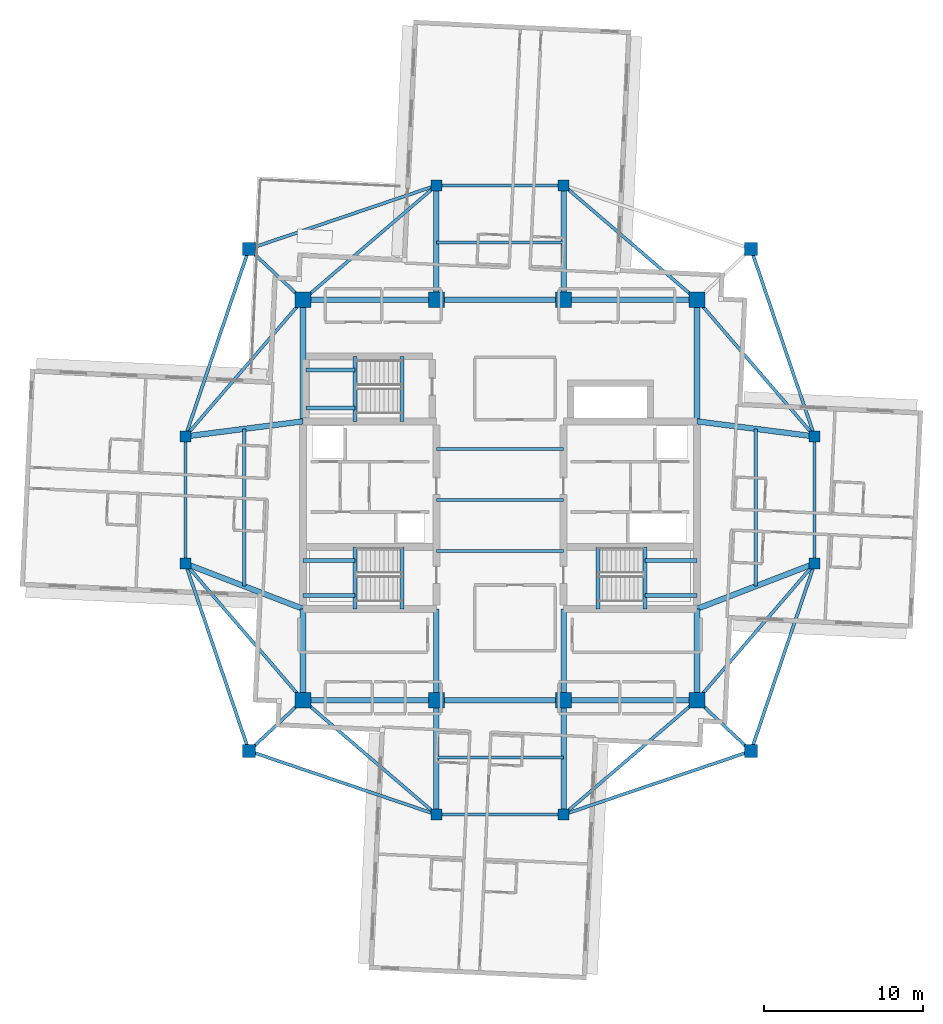
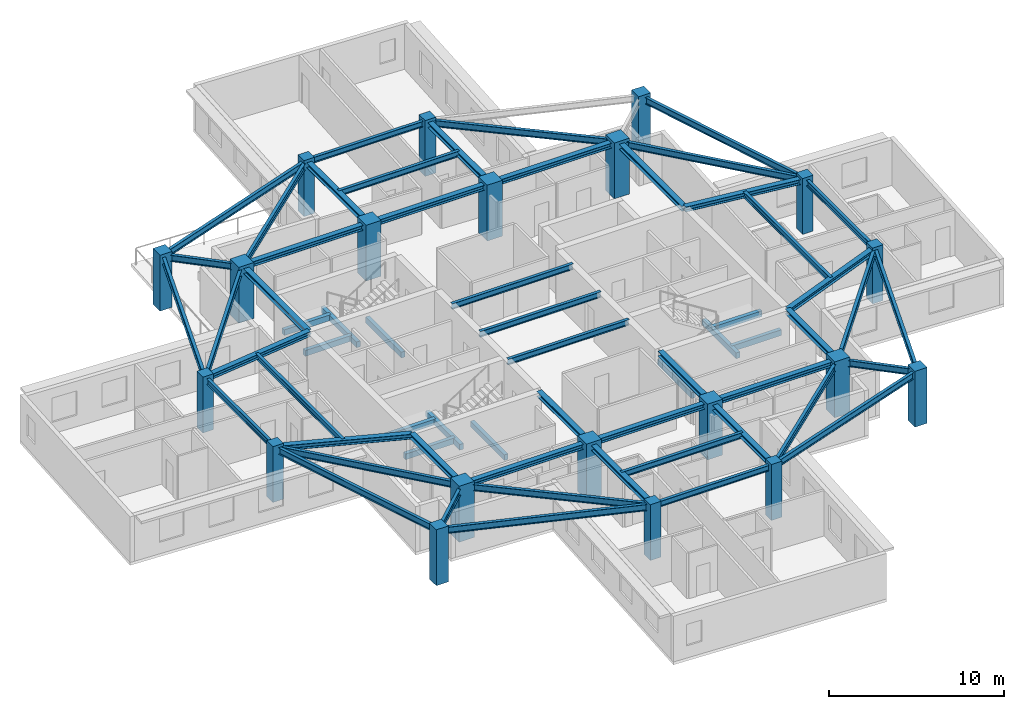
# One storey, part 1 of 12: 61 beams, 20 columns.
"""IFC4 building model written with IfcOpenShell, lengths in metres."""

from ifc_helpers import new_model, si_unit, direction, frame, origin, origin_2d, place, context, subcontext, project, spatial, rectangle, i_section, extrude, material, material_profile, profile_set, type_object, element, save


model = new_model("IFC4")

# Units and contexts
model_context = context("Model", 3, precision=1e-05, world=origin(), true_north=direction((0.0, 1.0)))
body_context = subcontext(model_context, "Body", "Model", "MODEL_VIEW")
ifc_project = project(units=[si_unit("LENGTHUNIT", "METRE"), si_unit("AREAUNIT", "SQUARE_METRE"), si_unit("VOLUMEUNIT", "CUBIC_METRE"), si_unit("PLANEANGLEUNIT", "RADIAN"), si_unit("MASSUNIT", "GRAM", prefix="KILO")], contexts=[model_context])

# Site, building, storey
site_placement = place(None, origin())
site = spatial("IfcSite", under=ifc_project, at=site_placement, CompositionType="ELEMENT")
building_placement = place(site_placement, origin())
building = spatial("IfcBuilding", under=site, at=building_placement, Name="Qingluan Cross Belvedere", CompositionType="ELEMENT")
storey_placement = place(building_placement, frame((0.0, 0.0, 253.800048828125)))
storey = spatial("IfcBuildingStorey", under=building, at=storey_placement, Name="L63", CompositionType="ELEMENT", Elevation=253.800048828125)

# Columns
ifc_material_1 = material(Name="Concrete C50", Category="concrete")
ifc_material_profile_1 = material_profile(ifc_material_1, rectangle(XDim=1.0, YDim=1.0, at=origin_2d()), Name="RC1000x1000")
ifc_profile_set_1 = profile_set([ifc_material_profile_1], Name="Concrete C50")
column_type_1 = type_object("IfcColumnType", Name="Column_RC1000x1000", PredefinedType="COLUMN", material=ifc_profile_set_1)
for number, where, z_axis, x_axis, name in (
    (1, (-12.39990234375, -12.60009765625, 0.0), (0.0, 0.0, 1.0), (1.0, 0.0, 0.0), "Hub column L63-HC1"),
    (2, (12.39990234375, -12.60009765625, 0.0), (0.0, 0.0, 1.0), (1.0, 0.0, 0.0), "Hub column L63-HC2"),
    (3, (12.39990234375, 12.60009765625, 0.0), (0.0, 0.0, 1.0), (1.0, 0.0, 0.0), "Hub column L63-HC3"),
    (4, (-12.39990234375, 12.60009765625, 0.0), (0.0, 0.0, 1.0), (1.0, 0.0, 0.0), "Hub column L63-HC4"),
    (5, (-4.0, -12.60009765625, 0.0), (0.0, 0.0, 1.0), (1.0, 0.0, 0.0), "Hub column L63-HC5"),
    (6, (4.0, -12.60009765625, 0.0), (0.0, 0.0, 1.0), (1.0, 0.0, 0.0), "Hub column L63-HC6"),
    (7, (4.0, 12.60009765625, 0.0), (0.0, 0.0, 1.0), (1.0, 0.0, 0.0), "Hub column L63-HC7"),
    (8, (-4.0, 12.60009765625, 0.0), (0.0, 0.0, 1.0), (1.0, 0.0, 0.0), "Hub column L63-HC8"),
):
    element("IfcColumn", number, at=place(storey_placement, frame(where, z_axis=z_axis, x_axis=x_axis)), inside=storey, type_object=column_type_1, Name=name, PredefinedType="COLUMN", context=body_context, shape_type="SweptSolid", body=[
        extrude(rectangle(XDim=1.0, YDim=1.0, at=origin_2d()), origin(), (0.0, 0.0, 1.0), 3.89990234375),
    ])
ifc_material_2 = material(Name="Concrete C50", Category="concrete")
ifc_material_profile_2 = material_profile(ifc_material_2, rectangle(XDim=0.699951171875, YDim=0.699951171875, at=origin_2d()), Name="RC700x700")
ifc_profile_set_2 = profile_set([ifc_material_profile_2], Name="Concrete C50")
column_type_2 = type_object("IfcColumnType", Name="Column_RC700x700", PredefinedType="COLUMN", material=ifc_profile_set_2)
for number, where, z_axis, x_axis, name in (
    (9, (19.800048828125, -4.0, 0.0), (0.0, 0.0, 1.0), (1.0, 0.0, 0.0), "Arm column L63-EIA"),
    (10, (19.800048828125, 4.0, 0.0), (0.0, 0.0, 1.0), (1.0, 0.0, 0.0), "Arm column L63-EIB"),
    (11, (-19.800048828125, -4.0, 0.0), (0.0, 0.0, 1.0), (1.0, 0.0, 0.0), "Arm column L63-WIA"),
    (12, (-19.800048828125, 4.0, 0.0), (0.0, 0.0, 1.0), (1.0, 0.0, 0.0), "Arm column L63-WIB"),
    (13, (-4.0, -19.800048828125, 0.0), (0.0, 0.0, 1.0), (1.0, 0.0, 0.0), "Arm column L63-SIA"),
    (14, (4.0, -19.800048828125, 0.0), (0.0, 0.0, 1.0), (1.0, 0.0, 0.0), "Arm column L63-SIB"),
    (15, (-4.0, 19.800048828125, 0.0), (0.0, 0.0, 1.0), (1.0, 0.0, 0.0), "Arm column L63-NIA"),
    (16, (4.0, 19.800048828125, 0.0), (0.0, 0.0, 1.0), (1.0, 0.0, 0.0), "Arm column L63-NIB"),
):
    element("IfcColumn", number, at=place(storey_placement, frame(where, z_axis=z_axis, x_axis=x_axis)), inside=storey, type_object=column_type_2, Name=name, PredefinedType="COLUMN", context=body_context, shape_type="SweptSolid", body=[
        extrude(rectangle(XDim=0.699951171875, YDim=0.699951171875, at=origin_2d()), origin(), (0.0, 0.0, 1.0), 3.89990234375),
    ])
ifc_material_3 = material(Name="Concrete C50", Category="concrete")
ifc_material_profile_3 = material_profile(ifc_material_3, rectangle(XDim=0.800048828125, YDim=0.800048828125, at=origin_2d()), Name="RC800x800")
ifc_profile_set_3 = profile_set([ifc_material_profile_3], Name="Concrete C50")
column_type_3 = type_object("IfcColumnType", Name="Column_RC800x800", PredefinedType="COLUMN", material=ifc_profile_set_3)
for number, where, z_axis, x_axis, name in (
    (17, (15.800048828125, 15.800048828125, 0.0), (0.0, 0.0, 1.0), (1.0, 0.0, 0.0), "Corner column L63-RNE"),
    (18, (-15.800048828125, 15.800048828125, 0.0), (0.0, 0.0, 1.0), (1.0, 0.0, 0.0), "Corner column L63-RNW"),
    (19, (-15.800048828125, -15.800048828125, 0.0), (0.0, 0.0, 1.0), (1.0, 0.0, 0.0), "Corner column L63-RSW"),
    (20, (15.800048828125, -15.800048828125, 0.0), (0.0, 0.0, 1.0), (1.0, 0.0, 0.0), "Corner column L63-RSE"),
):
    element("IfcColumn", number, at=place(storey_placement, frame(where, z_axis=z_axis, x_axis=x_axis)), inside=storey, type_object=column_type_3, Name=name, PredefinedType="COLUMN", context=body_context, shape_type="SweptSolid", body=[
        extrude(rectangle(XDim=0.800048828125, YDim=0.800048828125, at=origin_2d()), origin(), (0.0, 0.0, 1.0), 3.89990234375),
    ])

# Beams
ifc_material_4 = material(Name="Concrete C45", Category="concrete")
ifc_material_profile_4 = material_profile(ifc_material_4, rectangle(XDim=0.25, YDim=0.39990234375, at=origin_2d()), Name="RC250x400")
ifc_profile_set_4 = profile_set([ifc_material_profile_4], Name="Concrete C45")
beam_type_1 = type_object("IfcBeamType", Name="RC_Lintel_RC250x400", PredefinedType="LINTEL", material=ifc_profile_set_4)
for number, where, z_axis, x_axis, name in (
    (21, (-6.179931640625, -6.85009765625, -0.199951171875), (0.0, 1.0, 0.0), (-1.0, 0.0, 0.0), "Stair ST1 landing beam L63"),
    (22, (6.179931640625, -6.85009765625, -0.199951171875), (0.0, 1.0, 0.0), (-1.0, 0.0, 0.0), "Stair ST2 landing beam L63"),
):
    element("IfcBeam", number, at=place(storey_placement, frame(where, z_axis=z_axis, x_axis=x_axis)), inside=storey, type_object=beam_type_1, Name=name, PredefinedType="LINTEL", context=body_context, shape_type="SweptSolid", body=[
        extrude(rectangle(XDim=0.25, YDim=0.39990234375, at=origin_2d()), origin(), (0.0, 0.0, 1.0), 3.89013671875),
    ])
beam_1_placement = place(storey_placement, frame((-6.179931640625, 4.949951171875, -0.199951171875), z_axis=(0.0, 1.0, 0.0), x_axis=(-1.0, 0.0, 0.0)))
element("IfcBeam", 23, at=beam_1_placement, inside=storey, type_object=beam_type_1, Name="Stair ST3 landing beam L63", PredefinedType="LINTEL", context=body_context, shape_type="SweptSolid", body=[
    extrude(rectangle(XDim=0.25, YDim=0.39990234375, at=origin_2d()), origin(), (0.0, 0.0, 1.0), 4.090087890625),
])
beam_2_placement = place(storey_placement, frame((-9.1298828125, -6.85009765625, 1.550048828125), z_axis=(0.0, 1.0, 0.0), x_axis=(-1.0, 0.0, 0.0)))
element("IfcBeam", 24, at=beam_2_placement, inside=storey, type_object=beam_type_1, Name="Stair ST1 beam A L63", PredefinedType="LINTEL", context=body_context, shape_type="SweptSolid", body=[
    extrude(rectangle(XDim=0.25, YDim=0.39990234375, at=origin_2d()), origin(), (0.0, 0.0, 1.0), 3.89013671875),
])
for number, where, z_axis, x_axis, name in (
    (25, (-12.39990234375, -6.0, 1.550048828125), (1.0, 0.0, 0.0), (0.0, 1.0, 0.0), "Stair ST1 beam B L63"),
    (26, (-12.39990234375, -3.81005859375, 1.550048828125), (1.0, 0.0, 0.0), (0.0, 1.0, 0.0), "Stair ST1 beam C L63"),
):
    element("IfcBeam", number, at=place(storey_placement, frame(where, z_axis=z_axis, x_axis=x_axis)), inside=storey, type_object=beam_type_1, Name=name, PredefinedType="LINTEL", context=body_context, shape_type="SweptSolid", body=[
        extrude(rectangle(XDim=0.25, YDim=0.39990234375, at=origin_2d()), origin(), (0.0, 0.0, 1.0), 3.27001953125),
    ])
beam_3_placement = place(storey_placement, frame((9.1298828125, -6.85009765625, 1.550048828125), z_axis=(0.0, 1.0, 0.0), x_axis=(-1.0, 0.0, 0.0)))
element("IfcBeam", 27, at=beam_3_placement, inside=storey, type_object=beam_type_1, Name="Stair ST2 beam A L63", PredefinedType="LINTEL", context=body_context, shape_type="SweptSolid", body=[
    extrude(rectangle(XDim=0.25, YDim=0.39990234375, at=origin_2d()), origin(), (0.0, 0.0, 1.0), 3.89013671875),
])
for number, where, z_axis, x_axis, name in (
    (28, (12.39990234375, -6.0, 1.550048828125), (-1.0, 0.0, 0.0), (0.0, -1.0, 0.0), "Stair ST2 beam B L63"),
    (29, (12.39990234375, -3.81005859375, 1.550048828125), (-1.0, 0.0, 0.0), (0.0, -1.0, 0.0), "Stair ST2 beam C L63"),
):
    element("IfcBeam", number, at=place(storey_placement, frame(where, z_axis=z_axis, x_axis=x_axis)), inside=storey, type_object=beam_type_1, Name=name, PredefinedType="LINTEL", context=body_context, shape_type="SweptSolid", body=[
        extrude(rectangle(XDim=0.25, YDim=0.39990234375, at=origin_2d()), origin(), (0.0, 0.0, 1.0), 3.27001953125),
    ])
beam_4_placement = place(storey_placement, frame((-9.1298828125, 4.949951171875, 1.550048828125), z_axis=(0.0, 1.0, 0.0), x_axis=(-1.0, 0.0, 0.0)))
element("IfcBeam", 30, at=beam_4_placement, inside=storey, type_object=beam_type_1, Name="Stair ST3 beam A L63", PredefinedType="LINTEL", context=body_context, shape_type="SweptSolid", body=[
    extrude(rectangle(XDim=0.25, YDim=0.39990234375, at=origin_2d()), origin(), (0.0, 0.0, 1.0), 4.090087890625),
])
for number, where, z_axis, x_axis, name in (
    (31, (-12.219970703125, 5.800048828125, 1.550048828125), (1.0, 0.0, 0.0), (0.0, 1.0, 0.0), "Stair ST3 beam B L63"),
    (32, (-12.219970703125, 8.18994140625, 1.550048828125), (1.0, 0.0, 0.0), (0.0, 1.0, 0.0), "Stair ST3 beam C L63"),
):
    element("IfcBeam", number, at=place(storey_placement, frame(where, z_axis=z_axis, x_axis=x_axis)), inside=storey, type_object=beam_type_1, Name=name, PredefinedType="LINTEL", context=body_context, shape_type="SweptSolid", body=[
        extrude(rectangle(XDim=0.25, YDim=0.39990234375, at=origin_2d()), origin(), (0.0, 0.0, 1.0), 3.090087890625),
    ])
ifc_material_5 = material(Name="Steel Q420GJB", Category="steel")
ifc_material_profile_5 = material_profile(ifc_material_5, i_section(OverallWidth=0.199951171875, OverallDepth=0.39990234375, WebThickness=0.008056640625, FlangeThickness=0.012939453125, FilletRadius=0.012939453125, at=origin_2d()), Name="HN400x200x8x13")
ifc_profile_set_5 = profile_set([ifc_material_profile_5], Name="Steel Q420GJB")
beam_type_2 = type_object("IfcBeamType", Name="Steel_Beam_HN400x200x8x13", PredefinedType="JOIST", material=ifc_profile_set_5)
for number, where, z_axis, x_axis, name in (
    (33, (-4.0, -3.199951171875, 3.5), (1.0, 0.0, 0.0), (0.0, 1.0, 0.0), "Hall beam L63-CH1"),
    (34, (-4.0, 0.0, 3.5), (1.0, 0.0, 0.0), (0.0, 1.0, 0.0), "Hall beam L63-CH2"),
    (35, (-4.0, 3.199951171875, 3.5), (1.0, 0.0, 0.0), (0.0, 1.0, 0.0), "Hall beam L63-CH3"),
    (36, (19.800048828125, -4.0, 3.5), (0.0, 1.0, 0.0), (-1.0, 0.0, 0.0), "Arm E tie L63"),
):
    element("IfcBeam", number, at=place(storey_placement, frame(where, z_axis=z_axis, x_axis=x_axis)), inside=storey, type_object=beam_type_2, Name=name, PredefinedType="JOIST", context=body_context, shape_type="SweptSolid", body=[
        extrude(i_section(OverallWidth=0.199951171875, OverallDepth=0.39990234375, WebThickness=0.008056640625, FlangeThickness=0.012939453125, FilletRadius=0.012939453125, at=origin_2d()), origin(), (0.0, 0.0, 1.0), 8.0),
    ])
beam_5_placement = place(storey_placement, frame((16.10009765625, -5.425048828125, 3.5), z_axis=(0.0, 1.0, 0.0), x_axis=(-1.0, 0.0, 0.0)))
element("IfcBeam", 37, at=beam_5_placement, inside=storey, type_object=beam_type_2, Name="Arm E beam L63", PredefinedType="JOIST", context=body_context, shape_type="SweptSolid", body=[
    extrude(i_section(OverallWidth=0.199951171875, OverallDepth=0.39990234375, WebThickness=0.008056640625, FlangeThickness=0.012939453125, FilletRadius=0.012939453125, at=origin_2d()), origin(), (0.0, 0.0, 1.0), 9.900146484375),
])
beam_6_placement = place(storey_placement, frame((-19.800048828125, -4.0, 3.5), z_axis=(0.0, 1.0, 0.0), x_axis=(-1.0, 0.0, 0.0)))
element("IfcBeam", 38, at=beam_6_placement, inside=storey, type_object=beam_type_2, Name="Arm W tie L63", PredefinedType="JOIST", context=body_context, shape_type="SweptSolid", body=[
    extrude(i_section(OverallWidth=0.199951171875, OverallDepth=0.39990234375, WebThickness=0.008056640625, FlangeThickness=0.012939453125, FilletRadius=0.012939453125, at=origin_2d()), origin(), (0.0, 0.0, 1.0), 8.0),
])
beam_7_placement = place(storey_placement, frame((-16.10009765625, -5.425048828125, 3.5), z_axis=(0.0, 1.0, 0.0), x_axis=(-1.0, 0.0, 0.0)))
element("IfcBeam", 39, at=beam_7_placement, inside=storey, type_object=beam_type_2, Name="Arm W beam L63", PredefinedType="JOIST", context=body_context, shape_type="SweptSolid", body=[
    extrude(i_section(OverallWidth=0.199951171875, OverallDepth=0.39990234375, WebThickness=0.008056640625, FlangeThickness=0.012939453125, FilletRadius=0.012939453125, at=origin_2d()), origin(), (0.0, 0.0, 1.0), 9.900146484375),
])
for number, where, z_axis, x_axis, name in (
    (40, (-4.0, 19.800048828125, 3.5), (1.0, 0.0, 0.0), (0.0, 1.0, 0.0), "Arm N tie L63"),
    (41, (-4.0, 16.199951171875, 3.5), (1.0, 0.0, 0.0), (0.0, 1.0, 0.0), "Arm N beam L63"),
    (42, (-4.0, -19.800048828125, 3.5), (1.0, 0.0, 0.0), (0.0, 1.0, 0.0), "Arm S tie L63"),
    (43, (-4.0, -16.199951171875, 3.5), (1.0, 0.0, 0.0), (0.0, 1.0, 0.0), "Arm S beam L63"),
):
    element("IfcBeam", number, at=place(storey_placement, frame(where, z_axis=z_axis, x_axis=x_axis)), inside=storey, type_object=beam_type_2, Name=name, PredefinedType="JOIST", context=body_context, shape_type="SweptSolid", body=[
        extrude(i_section(OverallWidth=0.199951171875, OverallDepth=0.39990234375, WebThickness=0.008056640625, FlangeThickness=0.012939453125, FilletRadius=0.012939453125, at=origin_2d()), origin(), (0.0, 0.0, 1.0), 8.0),
    ])
ifc_material_6 = material(Name="Steel Q420GJB", Category="steel")
ifc_material_profile_6 = material_profile(ifc_material_6, i_section(OverallWidth=0.199951171875, OverallDepth=0.449951171875, WebThickness=0.009033203125, FlangeThickness=0.013916015625, FilletRadius=0.01611328125, at=origin_2d()), Name="HN450x200x9x14")
ifc_profile_set_6 = profile_set([ifc_material_profile_6], Name="Steel Q420GJB")
beam_type_3 = type_object("IfcBeamType", Name="Steel_Beam_HN450x200x9x14", PredefinedType="JOIST", material=ifc_profile_set_6)
beam_8_placement = place(storey_placement, frame((15.800048828125, 15.800048828125, 3.474853515625), z_axis=(0.321038089628, -0.947066283324, 0.0), x_axis=(0.947066283324, 0.321038089628, 0.0)))
element("IfcBeam", 44, at=beam_8_placement, inside=storey, type_object=beam_type_3, Name="Corner beam 3 L63-RNE", PredefinedType="JOIST", context=body_context, shape_type="SweptSolid", body=[
    extrude(i_section(OverallWidth=0.199951171875, OverallDepth=0.449951171875, WebThickness=0.009033203125, FlangeThickness=0.013916015625, FilletRadius=0.01611328125, at=origin_2d()), origin(), (0.0, 0.0, 1.0), 12.45947265625),
])
beam_9_placement = place(storey_placement, frame((12.39990234375, 12.60009765625, 3.474853515625), z_axis=(0.652245077546, -0.75800815221, 0.0), x_axis=(0.75800815221, 0.652245077546, 0.0)))
element("IfcBeam", 45, at=beam_9_placement, inside=storey, type_object=beam_type_3, Name="Corner beam 4 L63-RNE", PredefinedType="JOIST", context=body_context, shape_type="SweptSolid", body=[
    extrude(i_section(OverallWidth=0.199951171875, OverallDepth=0.449951171875, WebThickness=0.009033203125, FlangeThickness=0.013916015625, FilletRadius=0.01611328125, at=origin_2d()), origin(), (0.0, 0.0, 1.0), 11.345703125),
])
beam_10_placement = place(storey_placement, frame((12.39990234375, 12.60009765625, 3.474853515625), z_axis=(-0.759255044656, 0.650793190779, 0.0), x_axis=(-0.650793190779, -0.759255044656, 0.0)))
element("IfcBeam", 46, at=beam_10_placement, inside=storey, type_object=beam_type_3, Name="Corner beam 5 L63-RNE", PredefinedType="JOIST", context=body_context, shape_type="SweptSolid", body=[
    extrude(i_section(OverallWidth=0.199951171875, OverallDepth=0.449951171875, WebThickness=0.009033203125, FlangeThickness=0.013916015625, FilletRadius=0.01611328125, at=origin_2d()), origin(), (0.0, 0.0, 1.0), 11.063232421875),
])
beam_11_placement = place(storey_placement, frame((-12.39990234375, 12.60009765625, 3.454833984375), z_axis=(-0.728219948308, 0.685343495546, 0.0), x_axis=(-0.685343495546, -0.728219948308, 0.0)))
element("IfcBeam", 47, at=beam_11_placement, inside=storey, type_object=beam_type_3, Name="Corner beam 1 L63-RNW", PredefinedType="JOIST", context=body_context, shape_type="SweptSolid", body=[
    extrude(i_section(OverallWidth=0.199951171875, OverallDepth=0.449951171875, WebThickness=0.009033203125, FlangeThickness=0.013916015625, FilletRadius=0.01611328125, at=origin_2d()), origin(), (0.0, 0.0, 1.0), 4.669189453125),
])
for number, where, z_axis, x_axis, name in (
    (48, (-15.800048828125, 15.800048828125, 3.454833984375), (0.947066283324, 0.321038089628, 0.0), (-0.321038089628, 0.947066283324, 0.0), "Corner beam 2 L63-RNW"),
    (49, (-15.800048828125, 15.800048828125, 3.454833984375), (-0.321038089628, -0.947066283324, 0.0), (0.947066283324, -0.321038089628, 0.0), "Corner beam 3 L63-RNW"),
):
    element("IfcBeam", number, at=place(storey_placement, frame(where, z_axis=z_axis, x_axis=x_axis)), inside=storey, type_object=beam_type_3, Name=name, PredefinedType="JOIST", context=body_context, shape_type="SweptSolid", body=[
        extrude(i_section(OverallWidth=0.199951171875, OverallDepth=0.449951171875, WebThickness=0.009033203125, FlangeThickness=0.013916015625, FilletRadius=0.01611328125, at=origin_2d()), origin(), (0.0, 0.0, 1.0), 12.45947265625),
    ])
beam_12_placement = place(storey_placement, frame((-12.39990234375, 12.60009765625, 3.454833984375), z_axis=(-0.652245077546, -0.75800815221, 0.0), x_axis=(0.75800815221, -0.652245077546, 0.0)))
element("IfcBeam", 50, at=beam_12_placement, inside=storey, type_object=beam_type_3, Name="Corner beam 4 L63-RNW", PredefinedType="JOIST", context=body_context, shape_type="SweptSolid", body=[
    extrude(i_section(OverallWidth=0.199951171875, OverallDepth=0.449951171875, WebThickness=0.009033203125, FlangeThickness=0.013916015625, FilletRadius=0.01611328125, at=origin_2d()), origin(), (0.0, 0.0, 1.0), 11.345703125),
])
beam_13_placement = place(storey_placement, frame((-12.39990234375, 12.60009765625, 3.454833984375), z_axis=(0.759255044656, 0.650793190779, 0.0), x_axis=(-0.650793190779, 0.759255044656, 0.0)))
element("IfcBeam", 51, at=beam_13_placement, inside=storey, type_object=beam_type_3, Name="Corner beam 5 L63-RNW", PredefinedType="JOIST", context=body_context, shape_type="SweptSolid", body=[
    extrude(i_section(OverallWidth=0.199951171875, OverallDepth=0.449951171875, WebThickness=0.009033203125, FlangeThickness=0.013916015625, FilletRadius=0.01611328125, at=origin_2d()), origin(), (0.0, 0.0, 1.0), 11.063232421875),
])
beam_14_placement = place(storey_placement, frame((-12.39990234375, -12.60009765625, 3.474853515625), z_axis=(-0.728219948308, -0.685343495546, 0.0), x_axis=(0.685343495546, -0.728219948308, 0.0)))
element("IfcBeam", 52, at=beam_14_placement, inside=storey, type_object=beam_type_3, Name="Corner beam 1 L63-RSW", PredefinedType="JOIST", context=body_context, shape_type="SweptSolid", body=[
    extrude(i_section(OverallWidth=0.199951171875, OverallDepth=0.449951171875, WebThickness=0.009033203125, FlangeThickness=0.013916015625, FilletRadius=0.01611328125, at=origin_2d()), origin(), (0.0, 0.0, 1.0), 4.669189453125),
])
for number, where, z_axis, x_axis, name in (
    (53, (-15.800048828125, -15.800048828125, 3.474853515625), (0.947066283324, -0.321038089628, 0.0), (0.321038089628, 0.947066283324, 0.0), "Corner beam 2 L63-RSW"),
    (54, (-15.800048828125, -15.800048828125, 3.474853515625), (-0.321038089628, 0.947066283324, 0.0), (-0.947066283324, -0.321038089628, 0.0), "Corner beam 3 L63-RSW"),
):
    element("IfcBeam", number, at=place(storey_placement, frame(where, z_axis=z_axis, x_axis=x_axis)), inside=storey, type_object=beam_type_3, Name=name, PredefinedType="JOIST", context=body_context, shape_type="SweptSolid", body=[
        extrude(i_section(OverallWidth=0.199951171875, OverallDepth=0.449951171875, WebThickness=0.009033203125, FlangeThickness=0.013916015625, FilletRadius=0.01611328125, at=origin_2d()), origin(), (0.0, 0.0, 1.0), 12.45947265625),
    ])
beam_15_placement = place(storey_placement, frame((-12.39990234375, -12.60009765625, 3.474853515625), z_axis=(-0.652245077546, 0.75800815221, 0.0), x_axis=(-0.75800815221, -0.652245077546, 0.0)))
element("IfcBeam", 55, at=beam_15_placement, inside=storey, type_object=beam_type_3, Name="Corner beam 4 L63-RSW", PredefinedType="JOIST", context=body_context, shape_type="SweptSolid", body=[
    extrude(i_section(OverallWidth=0.199951171875, OverallDepth=0.449951171875, WebThickness=0.009033203125, FlangeThickness=0.013916015625, FilletRadius=0.01611328125, at=origin_2d()), origin(), (0.0, 0.0, 1.0), 11.345703125),
])
beam_16_placement = place(storey_placement, frame((-12.39990234375, -12.60009765625, 3.474853515625), z_axis=(0.759255044656, -0.650793190779, 0.0), x_axis=(0.650793190779, 0.759255044656, 0.0)))
element("IfcBeam", 56, at=beam_16_placement, inside=storey, type_object=beam_type_3, Name="Corner beam 5 L63-RSW", PredefinedType="JOIST", context=body_context, shape_type="SweptSolid", body=[
    extrude(i_section(OverallWidth=0.199951171875, OverallDepth=0.449951171875, WebThickness=0.009033203125, FlangeThickness=0.013916015625, FilletRadius=0.01611328125, at=origin_2d()), origin(), (0.0, 0.0, 1.0), 11.063232421875),
])
beam_17_placement = place(storey_placement, frame((12.39990234375, -12.60009765625, 3.474853515625), z_axis=(0.728219948308, -0.685343495546, 0.0), x_axis=(0.685343495546, 0.728219948308, 0.0)))
element("IfcBeam", 57, at=beam_17_placement, inside=storey, type_object=beam_type_3, Name="Corner beam 1 L63-RSE", PredefinedType="JOIST", context=body_context, shape_type="SweptSolid", body=[
    extrude(i_section(OverallWidth=0.199951171875, OverallDepth=0.449951171875, WebThickness=0.009033203125, FlangeThickness=0.013916015625, FilletRadius=0.01611328125, at=origin_2d()), origin(), (0.0, 0.0, 1.0), 4.669189453125),
])
for number, where, z_axis, x_axis, name in (
    (58, (15.800048828125, -15.800048828125, 3.474853515625), (-0.947066283324, -0.321038089628, 0.0), (0.321038089628, -0.947066283324, 0.0), "Corner beam 2 L63-RSE"),
    (59, (15.800048828125, -15.800048828125, 3.474853515625), (0.321038089628, 0.947066283324, 0.0), (-0.947066283324, 0.321038089628, 0.0), "Corner beam 3 L63-RSE"),
):
    element("IfcBeam", number, at=place(storey_placement, frame(where, z_axis=z_axis, x_axis=x_axis)), inside=storey, type_object=beam_type_3, Name=name, PredefinedType="JOIST", context=body_context, shape_type="SweptSolid", body=[
        extrude(i_section(OverallWidth=0.199951171875, OverallDepth=0.449951171875, WebThickness=0.009033203125, FlangeThickness=0.013916015625, FilletRadius=0.01611328125, at=origin_2d()), origin(), (0.0, 0.0, 1.0), 12.45947265625),
    ])
beam_18_placement = place(storey_placement, frame((12.39990234375, -12.60009765625, 3.474853515625), z_axis=(0.652245077546, 0.75800815221, 0.0), x_axis=(-0.75800815221, 0.652245077546, 0.0)))
element("IfcBeam", 60, at=beam_18_placement, inside=storey, type_object=beam_type_3, Name="Corner beam 4 L63-RSE", PredefinedType="JOIST", context=body_context, shape_type="SweptSolid", body=[
    extrude(i_section(OverallWidth=0.199951171875, OverallDepth=0.449951171875, WebThickness=0.009033203125, FlangeThickness=0.013916015625, FilletRadius=0.01611328125, at=origin_2d()), origin(), (0.0, 0.0, 1.0), 11.345703125),
])
beam_19_placement = place(storey_placement, frame((12.39990234375, -12.60009765625, 3.474853515625), z_axis=(-0.759255044656, -0.650793190779, 0.0), x_axis=(0.650793190779, -0.759255044656, 0.0)))
element("IfcBeam", 61, at=beam_19_placement, inside=storey, type_object=beam_type_3, Name="Corner beam 5 L63-RSE", PredefinedType="JOIST", context=body_context, shape_type="SweptSolid", body=[
    extrude(i_section(OverallWidth=0.199951171875, OverallDepth=0.449951171875, WebThickness=0.009033203125, FlangeThickness=0.013916015625, FilletRadius=0.01611328125, at=origin_2d()), origin(), (0.0, 0.0, 1.0), 11.063232421875),
])
ifc_material_7 = material(Name="Steel Q420GJB", Category="steel")
ifc_material_profile_7 = material_profile(ifc_material_7, i_section(OverallWidth=0.35009765625, OverallDepth=0.35009765625, WebThickness=0.011962890625, FlangeThickness=0.01904296875, FilletRadius=0.02001953125, at=origin_2d()), Name="HW350x350x12x19")
ifc_profile_set_7 = profile_set([ifc_material_profile_7], Name="Steel Q420GJB")
beam_type_4 = type_object("IfcBeamType", Name="Steel_Girder_HW350x350x12x19", PredefinedType="USERDEFINED", material=ifc_profile_set_7)
beam_20_placement = place(storey_placement, frame((-12.39990234375, -12.60009765625, 3.52490234375), z_axis=(1.0, 0.0, 0.0), x_axis=(0.0, 1.0, 0.0)))
element("IfcBeam", 62, at=beam_20_placement, inside=storey, type_object=beam_type_4, Name="Hub girder L63-HG-S1", ObjectType="GIRDER", PredefinedType="USERDEFINED", context=body_context, shape_type="SweptSolid", body=[
    extrude(i_section(OverallWidth=0.35009765625, OverallDepth=0.35009765625, WebThickness=0.011962890625, FlangeThickness=0.01904296875, FilletRadius=0.02001953125, at=origin_2d()), origin(), (0.0, 0.0, 1.0), 8.39990234375),
])
beam_21_placement = place(storey_placement, frame((-4.0, -12.60009765625, 3.52490234375), z_axis=(1.0, 0.0, 0.0), x_axis=(0.0, 1.0, 0.0)))
element("IfcBeam", 63, at=beam_21_placement, inside=storey, type_object=beam_type_4, Name="Hub girder L63-HG-S2", ObjectType="GIRDER", PredefinedType="USERDEFINED", context=body_context, shape_type="SweptSolid", body=[
    extrude(i_section(OverallWidth=0.35009765625, OverallDepth=0.35009765625, WebThickness=0.011962890625, FlangeThickness=0.01904296875, FilletRadius=0.02001953125, at=origin_2d()), origin(), (0.0, 0.0, 1.0), 8.0),
])
for number, where, z_axis, x_axis, name in (
    (64, (4.0, -12.60009765625, 3.52490234375), (1.0, 0.0, 0.0), (0.0, 1.0, 0.0), "Hub girder L63-HG-S3"),
    (65, (-12.39990234375, 12.60009765625, 3.52490234375), (1.0, 0.0, 0.0), (0.0, 1.0, 0.0), "Hub girder L63-HG-N1"),
):
    element("IfcBeam", number, at=place(storey_placement, frame(where, z_axis=z_axis, x_axis=x_axis)), inside=storey, type_object=beam_type_4, Name=name, ObjectType="GIRDER", PredefinedType="USERDEFINED", context=body_context, shape_type="SweptSolid", body=[
        extrude(i_section(OverallWidth=0.35009765625, OverallDepth=0.35009765625, WebThickness=0.011962890625, FlangeThickness=0.01904296875, FilletRadius=0.02001953125, at=origin_2d()), origin(), (0.0, 0.0, 1.0), 8.39990234375),
    ])
beam_22_placement = place(storey_placement, frame((-4.0, 12.60009765625, 3.52490234375), z_axis=(1.0, 0.0, 0.0), x_axis=(0.0, 1.0, 0.0)))
element("IfcBeam", 66, at=beam_22_placement, inside=storey, type_object=beam_type_4, Name="Hub girder L63-HG-N2", ObjectType="GIRDER", PredefinedType="USERDEFINED", context=body_context, shape_type="SweptSolid", body=[
    extrude(i_section(OverallWidth=0.35009765625, OverallDepth=0.35009765625, WebThickness=0.011962890625, FlangeThickness=0.01904296875, FilletRadius=0.02001953125, at=origin_2d()), origin(), (0.0, 0.0, 1.0), 8.0),
])
beam_23_placement = place(storey_placement, frame((4.0, 12.60009765625, 3.52490234375), z_axis=(1.0, 0.0, 0.0), x_axis=(0.0, 1.0, 0.0)))
element("IfcBeam", 67, at=beam_23_placement, inside=storey, type_object=beam_type_4, Name="Hub girder L63-HG-N3", ObjectType="GIRDER", PredefinedType="USERDEFINED", context=body_context, shape_type="SweptSolid", body=[
    extrude(i_section(OverallWidth=0.35009765625, OverallDepth=0.35009765625, WebThickness=0.011962890625, FlangeThickness=0.01904296875, FilletRadius=0.02001953125, at=origin_2d()), origin(), (0.0, 0.0, 1.0), 8.39990234375),
])
beam_24_placement = place(storey_placement, frame((-12.39990234375, -12.60009765625, 3.52490234375), z_axis=(0.0, 1.0, 0.0), x_axis=(-1.0, 0.0, 0.0)))
element("IfcBeam", 68, at=beam_24_placement, inside=storey, type_object=beam_type_4, Name="Hub girder L63-HG-W1", ObjectType="GIRDER", PredefinedType="USERDEFINED", context=body_context, shape_type="SweptSolid", body=[
    extrude(i_section(OverallWidth=0.35009765625, OverallDepth=0.35009765625, WebThickness=0.011962890625, FlangeThickness=0.01904296875, FilletRadius=0.02001953125, at=origin_2d()), origin(), (0.0, 0.0, 1.0), 5.75),
])
beam_25_placement = place(storey_placement, frame((-12.39990234375, 4.949951171875, 3.52490234375), z_axis=(0.0, 1.0, 0.0), x_axis=(-1.0, 0.0, 0.0)))
element("IfcBeam", 69, at=beam_25_placement, inside=storey, type_object=beam_type_4, Name="Hub girder L63-HG-W2", ObjectType="GIRDER", PredefinedType="USERDEFINED", context=body_context, shape_type="SweptSolid", body=[
    extrude(i_section(OverallWidth=0.35009765625, OverallDepth=0.35009765625, WebThickness=0.011962890625, FlangeThickness=0.01904296875, FilletRadius=0.02001953125, at=origin_2d()), origin(), (0.0, 0.0, 1.0), 7.650146484375),
])
beam_26_placement = place(storey_placement, frame((12.39990234375, -12.60009765625, 3.52490234375), z_axis=(0.0, 1.0, 0.0), x_axis=(-1.0, 0.0, 0.0)))
element("IfcBeam", 70, at=beam_26_placement, inside=storey, type_object=beam_type_4, Name="Hub girder L63-HG-E1", ObjectType="GIRDER", PredefinedType="USERDEFINED", context=body_context, shape_type="SweptSolid", body=[
    extrude(i_section(OverallWidth=0.35009765625, OverallDepth=0.35009765625, WebThickness=0.011962890625, FlangeThickness=0.01904296875, FilletRadius=0.02001953125, at=origin_2d()), origin(), (0.0, 0.0, 1.0), 5.75),
])
beam_27_placement = place(storey_placement, frame((12.39990234375, 4.949951171875, 3.52490234375), z_axis=(0.0, 1.0, 0.0), x_axis=(-1.0, 0.0, 0.0)))
element("IfcBeam", 71, at=beam_27_placement, inside=storey, type_object=beam_type_4, Name="Hub girder L63-HG-E2", ObjectType="GIRDER", PredefinedType="USERDEFINED", context=body_context, shape_type="SweptSolid", body=[
    extrude(i_section(OverallWidth=0.35009765625, OverallDepth=0.35009765625, WebThickness=0.011962890625, FlangeThickness=0.01904296875, FilletRadius=0.02001953125, at=origin_2d()), origin(), (0.0, 0.0, 1.0), 7.650146484375),
])
for number, where, z_axis, x_axis, name in (
    (72, (-4.0, -12.60009765625, 3.52490234375), (0.0, 1.0, 0.0), (-1.0, 0.0, 0.0), "Hub girder L63-HG-CW"),
    (73, (4.0, -12.60009765625, 3.52490234375), (0.0, 1.0, 0.0), (-1.0, 0.0, 0.0), "Hub girder L63-HG-CE"),
):
    element("IfcBeam", number, at=place(storey_placement, frame(where, z_axis=z_axis, x_axis=x_axis)), inside=storey, type_object=beam_type_4, Name=name, ObjectType="GIRDER", PredefinedType="USERDEFINED", context=body_context, shape_type="SweptSolid", body=[
        extrude(i_section(OverallWidth=0.35009765625, OverallDepth=0.35009765625, WebThickness=0.011962890625, FlangeThickness=0.01904296875, FilletRadius=0.02001953125, at=origin_2d()), origin(), (0.0, 0.0, 1.0), 5.75),
    ])
beam_28_placement = place(storey_placement, frame((12.39990234375, -6.85009765625, 3.52490234375), z_axis=(0.933181258889, 0.359406090735, 0.0), x_axis=(-0.359406090735, 0.933181258889, 0.0)))
element("IfcBeam", 74, at=beam_28_placement, inside=storey, type_object=beam_type_4, Name="Arm E radial girder A L63", ObjectType="GIRDER", PredefinedType="USERDEFINED", context=body_context, shape_type="SweptSolid", body=[
    extrude(i_section(OverallWidth=0.35009765625, OverallDepth=0.35009765625, WebThickness=0.011962890625, FlangeThickness=0.01904296875, FilletRadius=0.02001953125, at=origin_2d()), origin(), (0.0, 0.0, 1.0), 7.929931640625),
])
beam_29_placement = place(storey_placement, frame((12.39990234375, 4.949951171875, 3.52490234375), z_axis=(0.991861120628, -0.12732445714, 0.0), x_axis=(0.12732445714, 0.991861120628, 0.0)))
element("IfcBeam", 75, at=beam_29_placement, inside=storey, type_object=beam_type_4, Name="Arm E radial girder B L63", ObjectType="GIRDER", PredefinedType="USERDEFINED", context=body_context, shape_type="SweptSolid", body=[
    extrude(i_section(OverallWidth=0.35009765625, OverallDepth=0.35009765625, WebThickness=0.011962890625, FlangeThickness=0.01904296875, FilletRadius=0.02001953125, at=origin_2d()), origin(), (0.0, 0.0, 1.0), 7.4609375),
])
beam_30_placement = place(storey_placement, frame((-12.39990234375, -6.85009765625, 3.52490234375), z_axis=(-0.933181258889, 0.359406090735, 0.0), x_axis=(-0.359406090735, -0.933181258889, 0.0)))
element("IfcBeam", 76, at=beam_30_placement, inside=storey, type_object=beam_type_4, Name="Arm W radial girder A L63", ObjectType="GIRDER", PredefinedType="USERDEFINED", context=body_context, shape_type="SweptSolid", body=[
    extrude(i_section(OverallWidth=0.35009765625, OverallDepth=0.35009765625, WebThickness=0.011962890625, FlangeThickness=0.01904296875, FilletRadius=0.02001953125, at=origin_2d()), origin(), (0.0, 0.0, 1.0), 7.929931640625),
])
beam_31_placement = place(storey_placement, frame((-12.39990234375, 4.949951171875, 3.52490234375), z_axis=(-0.991861120628, -0.12732445714, 0.0), x_axis=(0.12732445714, -0.991861120628, 0.0)))
element("IfcBeam", 77, at=beam_31_placement, inside=storey, type_object=beam_type_4, Name="Arm W radial girder B L63", ObjectType="GIRDER", PredefinedType="USERDEFINED", context=body_context, shape_type="SweptSolid", body=[
    extrude(i_section(OverallWidth=0.35009765625, OverallDepth=0.35009765625, WebThickness=0.011962890625, FlangeThickness=0.01904296875, FilletRadius=0.02001953125, at=origin_2d()), origin(), (0.0, 0.0, 1.0), 7.4609375),
])
for number, where, z_axis, x_axis, name in (
    (78, (-4.0, 12.60009765625, 3.52490234375), (0.0, 1.0, 0.0), (-1.0, 0.0, 0.0), "Arm N radial girder A L63"),
    (79, (4.0, 12.60009765625, 3.52490234375), (0.0, 1.0, 0.0), (-1.0, 0.0, 0.0), "Arm N radial girder B L63"),
    (80, (-4.0, -12.60009765625, 3.52490234375), (0.0, -1.0, 0.0), (1.0, 0.0, 0.0), "Arm S radial girder A L63"),
    (81, (4.0, -12.60009765625, 3.52490234375), (0.0, -1.0, 0.0), (1.0, 0.0, 0.0), "Arm S radial girder B L63"),
):
    element("IfcBeam", number, at=place(storey_placement, frame(where, z_axis=z_axis, x_axis=x_axis)), inside=storey, type_object=beam_type_4, Name=name, ObjectType="GIRDER", PredefinedType="USERDEFINED", context=body_context, shape_type="SweptSolid", body=[
        extrude(i_section(OverallWidth=0.35009765625, OverallDepth=0.35009765625, WebThickness=0.011962890625, FlangeThickness=0.01904296875, FilletRadius=0.02001953125, at=origin_2d()), origin(), (0.0, 0.0, 1.0), 7.199951171875),
    ])

save(model, "model.ifc")
